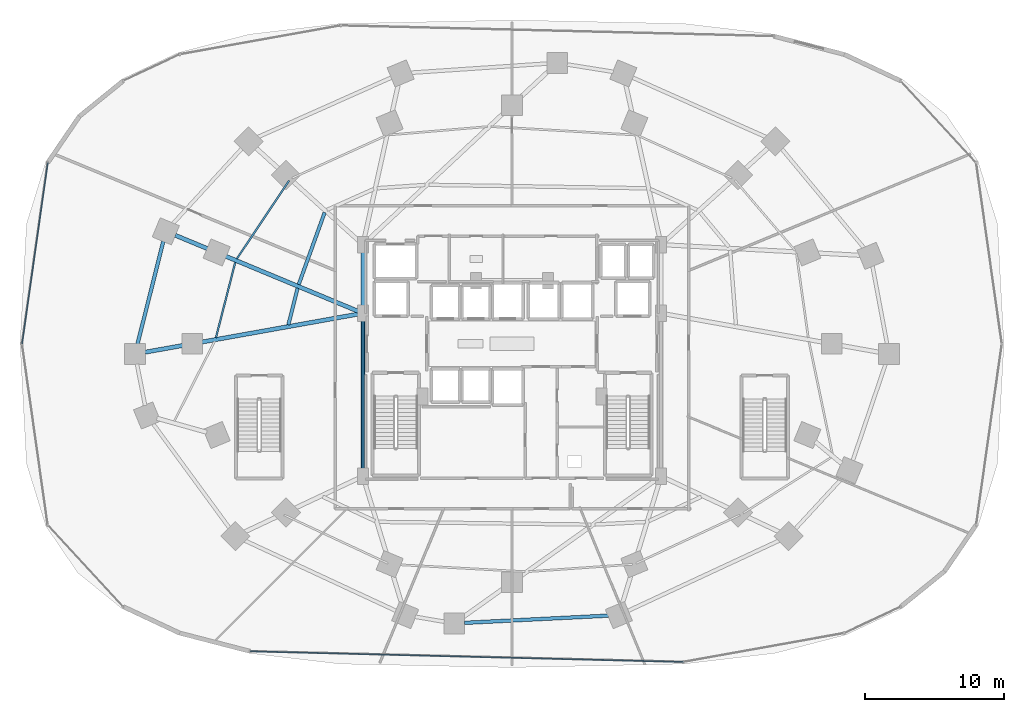
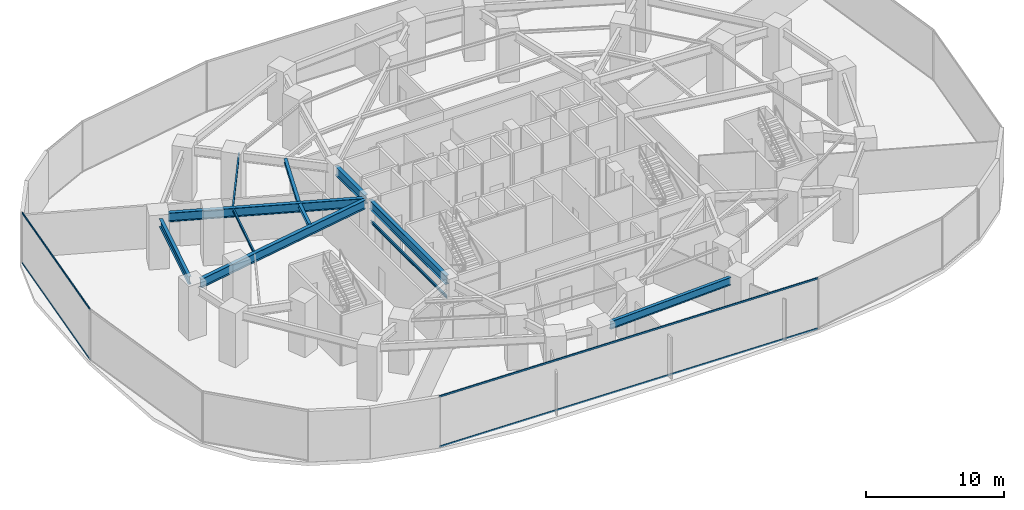
# One storey, part 7 of 27: 11 beams, 4 members, 2 elements without a shape of their own.
"""IFC4 building model written with IfcOpenShell, lengths in metres."""

from ifc_helpers import new_model, si_unit, direction, frame, origin, origin_2d, place, context, subcontext, project, spatial, hollow_rectangle, i_section, extrude, material, material_profile, profile_set, type_object, element, aggregate, save


model = new_model("IFC4")

# Units and contexts
model_context = context("Model", 3, precision=1e-05, world=origin(), true_north=direction((0.0, 1.0)))
body_context = subcontext(model_context, "Body", "Model", "MODEL_VIEW")
ifc_project = project(units=[si_unit("LENGTHUNIT", "METRE"), si_unit("AREAUNIT", "SQUARE_METRE"), si_unit("VOLUMEUNIT", "CUBIC_METRE"), si_unit("PLANEANGLEUNIT", "RADIAN"), si_unit("MASSUNIT", "GRAM", prefix="KILO")], contexts=[model_context])

# Site, building, storey
site_placement = place(None, origin())
site = spatial("IfcSite", under=ifc_project, at=site_placement, CompositionType="ELEMENT")
building_placement = place(site_placement, origin())
building = spatial("IfcBuilding", under=site, at=building_placement, Name="Vorneva Point Tower", CompositionType="ELEMENT")
storey_placement = place(building_placement, frame((0.0, 0.0, 4.800048828125)))
storey = spatial("IfcBuildingStorey", under=building, at=storey_placement, Name="L01", CompositionType="ELEMENT", Elevation=4.800048828125)

# Beams
ifc_material_1 = material(Name="Steel S355", Category="steel")
ifc_material_profile_1 = material_profile(ifc_material_1, i_section(OverallWidth=0.300048828125, OverallDepth=0.7880859375, WebThickness=0.014404296875, FlangeThickness=0.02197265625, at=origin_2d()), Name="80Sh1")
ifc_profile_set_1 = profile_set([ifc_material_profile_1], Name="Steel S355")
beam_type_1 = type_object("IfcBeamType", Name="BM-GRD-80Sh1", PredefinedType="USERDEFINED", material=ifc_profile_set_1)
beam_1_placement = place(storey_placement, frame((13.720703125, 33.822265625, 4.0859375), z_axis=(0.923440919845, -0.383740625365, 0.0), x_axis=(0.383740625365, 0.923440919845, 0.0)))
element("IfcBeam", 1, at=beam_1_placement, inside=storey, type_object=beam_type_1, Name="L01 Radial Primary Girder 08", ObjectType="GIRDER", PredefinedType="USERDEFINED", context=body_context, shape_type="SweptSolid", body=[
    extrude(i_section(OverallWidth=0.300048828125, OverallDepth=0.7880859375, WebThickness=0.014404296875, FlangeThickness=0.02197265625, at=origin_2d()), origin(), (0.0, 0.0, 1.0), 14.31103515625),
])
beam_2_placement = place(storey_placement, frame((11.54443359375, 25.390869140625, 4.0859375), z_axis=(0.984377963628, 0.176068238829, 0.0), x_axis=(-0.176068238829, 0.984377963628, 0.0)))
element("IfcBeam", 2, at=beam_2_placement, inside=storey, type_object=beam_type_1, Name="L01 Radial Primary Girder 09", ObjectType="GIRDER", PredefinedType="USERDEFINED", context=body_context, shape_type="SweptSolid", body=[
    extrude(i_section(OverallWidth=0.300048828125, OverallDepth=0.7880859375, WebThickness=0.014404296875, FlangeThickness=0.02197265625, at=origin_2d()), origin(), (0.0, 0.0, 1.0), 15.61474609375),
])
beam_3_placement = place(storey_placement, frame((27.25, 16.77001953125, 4.0859375), z_axis=(0.0, 1.0, 0.0), x_axis=(-1.0, 0.0, 0.0)))
element("IfcBeam", 3, at=beam_3_placement, inside=storey, type_object=beam_type_1, Name="L01 Core Tie Girder CT1", ObjectType="GIRDER", PredefinedType="USERDEFINED", context=body_context, shape_type="SweptSolid", body=[
    extrude(i_section(OverallWidth=0.300048828125, OverallDepth=0.7880859375, WebThickness=0.014404296875, FlangeThickness=0.02197265625, at=origin_2d()), origin(), (0.0, 0.0, 1.0), 11.10986328125),
])
beam_4_placement = place(storey_placement, frame((27.25, 28.52001953125, 4.0859375), z_axis=(0.0, 1.0, 0.0), x_axis=(-1.0, 0.0, 0.0)))
element("IfcBeam", 4, at=beam_4_placement, inside=storey, type_object=beam_type_1, Name="L01 Core Tie Girder CT2", ObjectType="GIRDER", PredefinedType="USERDEFINED", context=body_context, shape_type="SweptSolid", body=[
    extrude(i_section(OverallWidth=0.300048828125, OverallDepth=0.7880859375, WebThickness=0.014404296875, FlangeThickness=0.02197265625, at=origin_2d()), origin(), (0.0, 0.0, 1.0), 4.31005859375),
])
ifc_material_profile_2 = material_profile(ifc_material_1, i_section(OverallWidth=0.1240234375, OverallDepth=0.248046875, WebThickness=0.0048828125, FlangeThickness=0.008056640625, at=origin_2d()), Name="25B1")
ifc_profile_set_2 = profile_set([ifc_material_profile_2], Name="Steel S355")
beam_type_2 = type_object("IfcBeamType", Name="BM-JST-25B1", PredefinedType="JOIST", material=ifc_profile_set_2)
beam_5_placement = place(storey_placement, frame((21.931396484375, 37.7705078125, 4.35595703125), z_axis=(-0.555629116204, -0.8314302648, 0.0), x_axis=(0.8314302648, -0.555629116204, 0.0)))
element("IfcBeam", 5, at=beam_5_placement, inside=storey, type_object=beam_type_2, Name="L01 Secondary Floor Beam 1.07", PredefinedType="JOIST", context=body_context, shape_type="SweptSolid", body=[
    extrude(i_section(OverallWidth=0.1240234375, OverallDepth=0.248046875, WebThickness=0.0048828125, FlangeThickness=0.008056640625, at=origin_2d()), origin(), (0.0, 0.0, 1.0), 6.79052734375),
])
beam_6_placement = place(storey_placement, frame((18.04736328125, 31.876220703125, 4.35595703125), z_axis=(-0.2484077459, -0.968655558894, 0.0), x_axis=(0.968655558894, -0.2484077459, 0.0)))
element("IfcBeam", 6, at=beam_6_placement, inside=storey, type_object=beam_type_2, Name="L01 Secondary Floor Beam 1.08", PredefinedType="JOIST", context=body_context, shape_type="SweptSolid", body=[
    extrude(i_section(OverallWidth=0.1240234375, OverallDepth=0.248046875, WebThickness=0.0048828125, FlangeThickness=0.008056640625, at=origin_2d()), origin(), (0.0, 0.0, 1.0), 5.620849609375),
])
ifc_material_profile_3 = material_profile(ifc_material_1, i_section(OverallWidth=0.1240234375, OverallDepth=0.248046875, WebThickness=0.0048828125, FlangeThickness=0.008056640625, at=origin_2d()), Name="25B1")
ifc_profile_set_3 = profile_set([ifc_material_profile_3], Name="Steel S355")
beam_type_3 = type_object("IfcBeamType", Name="BM-LNT-25B1", PredefinedType="LINTEL", material=ifc_profile_set_3)
beam_7_placement = place(storey_placement, frame((27.25, 16.7900390625, 2.550048828125), z_axis=(0.0, 1.0, 0.0), x_axis=(-1.0, 0.0, 0.0)))
element("IfcBeam", 7, at=beam_7_placement, inside=storey, type_object=beam_type_3, Name="L01 Core Opening Lintel Beam W", PredefinedType="LINTEL", context=body_context, shape_type="SweptSolid", body=[
    extrude(i_section(OverallWidth=0.1240234375, OverallDepth=0.248046875, WebThickness=0.0048828125, FlangeThickness=0.008056640625, at=origin_2d()), origin(), (0.0, 0.0, 1.0), 11.070068359375),
])
ifc_material_profile_4 = material_profile(ifc_material_1, i_section(OverallWidth=0.2490234375, OverallDepth=0.333984375, WebThickness=0.008056640625, FlangeThickness=0.010986328125, at=origin_2d()), Name="35Sh1")
ifc_profile_set_4 = profile_set([ifc_material_profile_4], Name="Steel S355")
beam_type_4 = type_object("IfcBeamType", Name="BM-SEC-35Sh1", PredefinedType="BEAM", material=ifc_profile_set_4)
beam_8_placement = place(storey_placement, frame((24.493408203125, 35.468017578125, 4.31298828125), z_axis=(-0.33896211394, -0.940800024082, 0.0), x_axis=(0.940800024082, -0.33896211394, 0.0)))
element("IfcBeam", 8, at=beam_8_placement, inside=storey, type_object=beam_type_4, Name="L01 Secondary Floor Beam 2.07", PredefinedType="BEAM", context=body_context, shape_type="SweptSolid", body=[
    extrude(i_section(OverallWidth=0.2490234375, OverallDepth=0.333984375, WebThickness=0.008056640625, FlangeThickness=0.010986328125, at=origin_2d()), origin(), (0.0, 0.0, 1.0), 5.522216796875),
])
beam_9_placement = place(storey_placement, frame((22.541259765625, 30.0087890625, 4.31298828125), z_axis=(-0.243927015128, -0.969793592106, 0.0), x_axis=(0.969793592106, -0.243927015128, 0.0)))
element("IfcBeam", 9, at=beam_9_placement, inside=storey, type_object=beam_type_4, Name="L01 Secondary Floor Beam 2.08", PredefinedType="BEAM", context=body_context, shape_type="SweptSolid", body=[
    extrude(i_section(OverallWidth=0.2490234375, OverallDepth=0.333984375, WebThickness=0.008056640625, FlangeThickness=0.010986328125, at=origin_2d()), origin(), (0.0, 0.0, 1.0), 2.724365234375),
])
ifc_material_profile_5 = material_profile(ifc_material_1, i_section(OverallWidth=0.260009765625, OverallDepth=0.69091796875, WebThickness=0.011962890625, FlangeThickness=0.015380859375, at=origin_2d()), Name="70B1")
ifc_profile_set_5 = profile_set([ifc_material_profile_5], Name="Steel S355")
beam_type_5 = type_object("IfcBeamType", Name="BM-SPN-70B1", PredefinedType="SPANDREL", material=ifc_profile_set_5)
beam_10_placement = place(storey_placement, frame((12.860107421875, 33.392578125, 4.134521484375), z_axis=(-0.243594390695, -0.969877194712, 0.0), x_axis=(0.969877194712, -0.243594390695, 0.0)))
element("IfcBeam", 10, at=beam_10_placement, inside=storey, type_object=beam_type_5, Name="L01 Perimeter Spandrel Ring Beam 08", PredefinedType="SPANDREL", context=body_context, shape_type="SweptSolid", body=[
    extrude(i_section(OverallWidth=0.260009765625, OverallDepth=0.69091796875, WebThickness=0.011962890625, FlangeThickness=0.015380859375, at=origin_2d()), origin(), (0.0, 0.0, 1.0), 7.649169921875),
])
beam_11_placement = place(storey_placement, frame((34.574462890625, 5.876708984375, 4.134521484375), z_axis=(0.9987427267, 0.050129490956, 0.0), x_axis=(-0.050129490956, 0.9987427267, 0.0)))
element("IfcBeam", 11, at=beam_11_placement, inside=storey, type_object=beam_type_5, Name="L01 Perimeter Spandrel Ring Beam 13", PredefinedType="SPANDREL", context=body_context, shape_type="SweptSolid", body=[
    extrude(i_section(OverallWidth=0.260009765625, OverallDepth=0.69091796875, WebThickness=0.011962890625, FlangeThickness=0.015380859375, at=origin_2d()), origin(), (0.0, 0.0, 1.0), 10.40771484375),
])

# Curtain wall, members
ifc_material_2 = material(Name="Pale anodised aluminium", Category="aluminium")
curtain_wall_type = type_object("IfcCurtainWallType", Name="CW-POD-SYS", PredefinedType="NOTDEFINED", material=ifc_material_2)
curtain_wall_1_placement = place(storey_placement, origin())
curtain_wall_1 = element("IfcCurtainWall", 12, at=curtain_wall_1_placement, inside=storey, type_object=curtain_wall_type, Name="L01 Unitised Curtain Wall CW-L01-R03", PredefinedType="NOTDEFINED")
ifc_material_profile_6 = material_profile(ifc_material_2, hollow_rectangle(XDim=0.074951171875, YDim=0.14990234375, WallThickness=0.00390625, at=origin_2d()), Name="AL-TRN 150x75x4")
ifc_profile_set_6 = profile_set([ifc_material_profile_6], Name="Pale anodised aluminium")
member_type = type_object("IfcMemberType", Name="CW-TRN-150", PredefinedType="USERDEFINED", material=ifc_profile_set_6)
member_1_placement = place(storey_placement, frame((4.52880859375, 39.05712890625, 0.02001953125), z_axis=(-0.140345678, -0.990102565731, 0.0), x_axis=(0.990102565731, -0.140345678, 0.0)))
member_1 = element("IfcMember", 13, at=member_1_placement, type_object=member_type, Name="CW-L01-R03 Transom 01.1", ObjectType="TRANSOM", PredefinedType="USERDEFINED", context=body_context, shape_type="SweptSolid", body=[
    extrude(hollow_rectangle(XDim=0.074951171875, YDim=0.14990234375, WallThickness=0.00390625, at=origin_2d()), origin(), (0.0, 0.0, 1.0), 13.187744140625),
])
member_2_placement = place(storey_placement, frame((4.52880859375, 39.05712890625, 4.4599609375), z_axis=(-0.140345678, -0.990102565731, 0.0), x_axis=(0.990102565731, -0.140345678, 0.0)))
member_2 = element("IfcMember", 14, at=member_2_placement, type_object=member_type, Name="CW-L01-R03 Transom 01.2", ObjectType="TRANSOM", PredefinedType="USERDEFINED", context=body_context, shape_type="SweptSolid", body=[
    extrude(hollow_rectangle(XDim=0.074951171875, YDim=0.14990234375, WallThickness=0.00390625, at=origin_2d()), origin(), (0.0, 0.0, 1.0), 13.187744140625),
])
aggregate(curtain_wall_1, [member_1, member_2])

curtain_wall_2_placement = place(storey_placement, origin())
curtain_wall_2 = element("IfcCurtainWall", 15, at=curtain_wall_2_placement, inside=storey, type_object=curtain_wall_type, Name="L01 Unitised Curtain Wall CW-L01-R04", PredefinedType="NOTDEFINED")
member_3_placement = place(storey_placement, frame((19.1103515625, 3.82470703125, 0.02001953125), z_axis=(0.999697841443, -0.024581005157, 0.0), x_axis=(0.024581005157, 0.999697841443, 0.0)))
member_3 = element("IfcMember", 16, at=member_3_placement, type_object=member_type, Name="CW-L01-R04 Transom 01.1", ObjectType="TRANSOM", PredefinedType="USERDEFINED", context=body_context, shape_type="SweptSolid", body=[
    extrude(hollow_rectangle(XDim=0.074951171875, YDim=0.14990234375, WallThickness=0.00390625, at=origin_2d()), origin(), (0.0, 0.0, 1.0), 31.25634765625),
])
member_4_placement = place(storey_placement, frame((19.1103515625, 3.82470703125, 4.4599609375), z_axis=(0.999697841443, -0.024581005157, 0.0), x_axis=(0.024581005157, 0.999697841443, 0.0)))
member_4 = element("IfcMember", 17, at=member_4_placement, type_object=member_type, Name="CW-L01-R04 Transom 01.2", ObjectType="TRANSOM", PredefinedType="USERDEFINED", context=body_context, shape_type="SweptSolid", body=[
    extrude(hollow_rectangle(XDim=0.074951171875, YDim=0.14990234375, WallThickness=0.00390625, at=origin_2d()), origin(), (0.0, 0.0, 1.0), 31.25634765625),
])
aggregate(curtain_wall_2, [member_3, member_4])

save(model, "model.ifc")
